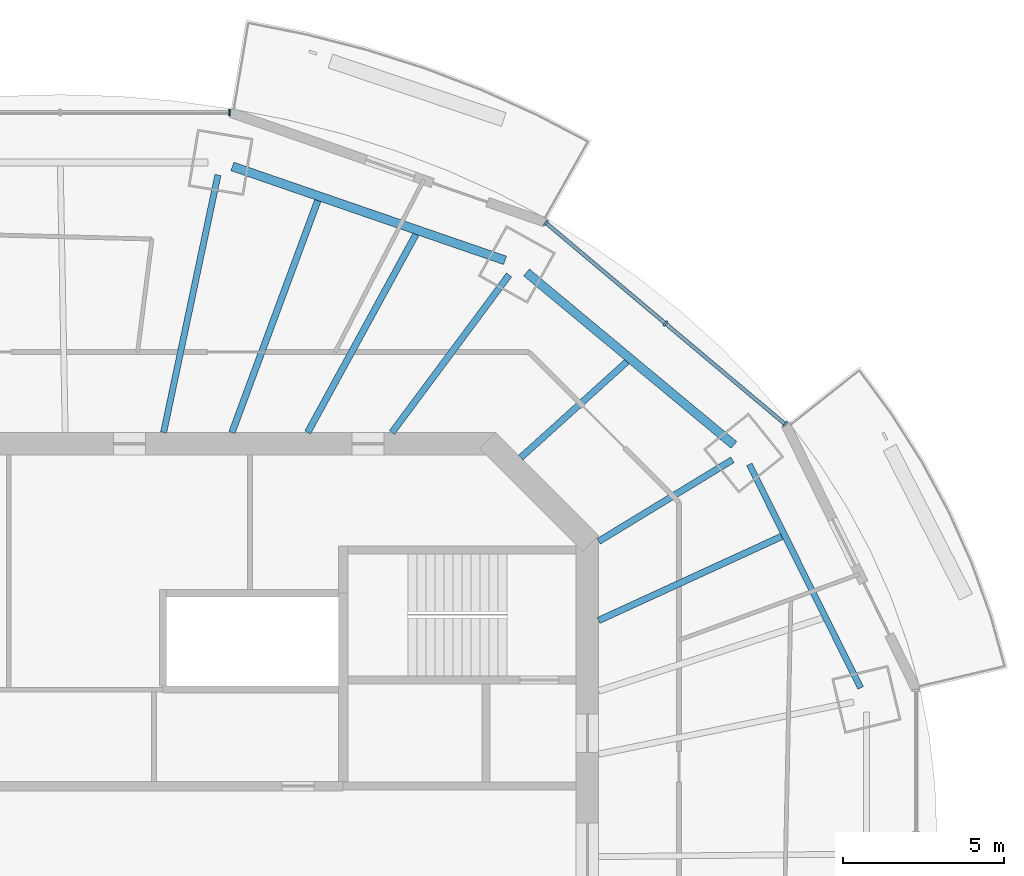
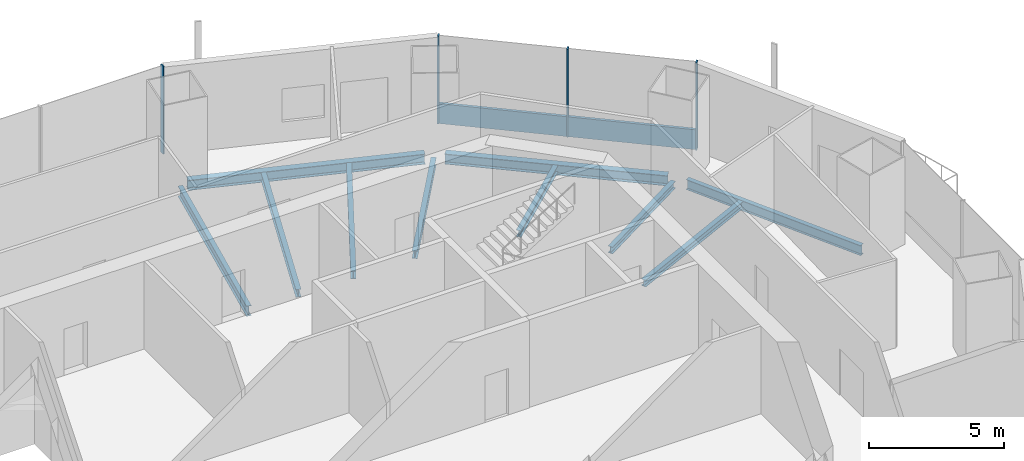
# One storey, part 6 of 16: 10 beams, 5 members, 2 elements without a shape of their own.
"""IFC4 building model written with IfcOpenShell, lengths in metres."""

from ifc_helpers import new_model, si_unit, direction, frame, origin, origin_2d, place, context, subcontext, project, spatial, rectangle, i_section, extrude, material, material_profile, profile_set, type_object, element, aggregate, save


model = new_model("IFC4")

# Units and contexts
model_context = context("Model", 3, precision=1e-05, world=origin(), true_north=direction((0.0, 1.0)))
body_context = subcontext(model_context, "Body", "Model", "MODEL_VIEW")
ifc_project = project(units=[si_unit("LENGTHUNIT", "METRE"), si_unit("AREAUNIT", "SQUARE_METRE"), si_unit("VOLUMEUNIT", "CUBIC_METRE"), si_unit("PLANEANGLEUNIT", "RADIAN"), si_unit("MASSUNIT", "GRAM", prefix="KILO")], contexts=[model_context])

# Site, building, storey
site_placement = place(None, origin())
site = spatial("IfcSite", under=ifc_project, at=site_placement, CompositionType="ELEMENT")
building_placement = place(site_placement, origin())
building = spatial("IfcBuilding", under=site, at=building_placement, Name="Marenthal Gate Tower", CompositionType="ELEMENT")
storey_placement = place(building_placement, frame((0.0, 0.0, 342.60009765625)))
storey = spatial("IfcBuildingStorey", under=building, at=storey_placement, Name="L77", CompositionType="ELEMENT", Elevation=342.60009765625)

# Curtain wall, members
ifc_material_1 = material(Name="Aluminium and glass", Category="aluminium")
curtain_wall_type = type_object("IfcCurtainWallType", Name="Curtain wall typical high", PredefinedType="NOTDEFINED", material=ifc_material_1)
curtain_wall_1_placement = place(storey_placement, origin())
curtain_wall_1 = element("IfcCurtainWall", 1, at=curtain_wall_1_placement, inside=storey, type_object=curtain_wall_type, Name="Curtain wall L77 bay 2", PredefinedType="NOTDEFINED")
ifc_material_2 = material(Name="Aluminium", Category="aluminium")
ifc_material_profile_1 = material_profile(ifc_material_2, rectangle(XDim=0.199951171875, YDim=0.06005859375, at=origin_2d()), Name="60x200 aluminium mullion")
ifc_profile_set_1 = profile_set([ifc_material_profile_1], Name="Aluminium")
member_type_1 = type_object("IfcMemberType", Name="Mullion 60x200 typical high", PredefinedType="MULLION", material=ifc_profile_set_1)
member_1_placement = place(storey_placement, frame((22.150634765625, 13.609619140625, 0.0), z_axis=(0.0, 0.0, 1.0), x_axis=(-0.643800653639, -0.765193255572, 0.0)))
member_1 = element("IfcMember", 2, at=member_1_placement, type_object=member_type_1, Name="Mullion L77 bay 2.1", PredefinedType="MULLION", context=body_context, shape_type="SweptSolid", body=[
    extrude(rectangle(XDim=0.199951171875, YDim=0.06005859375, at=origin_2d()), origin(), (0.0, 0.0, 1.0), 3.969970703125),
])
member_2_placement = place(storey_placement, frame((18.428466796875, 16.7412109375, 0.0), z_axis=(0.0, 0.0, 1.0), x_axis=(-0.643800653639, -0.765193255572, 0.0)))
member_2 = element("IfcMember", 3, at=member_2_placement, type_object=member_type_1, Name="Mullion L77 bay 2.2", PredefinedType="MULLION", context=body_context, shape_type="SweptSolid", body=[
    extrude(rectangle(XDim=0.199951171875, YDim=0.06005859375, at=origin_2d()), origin(), (0.0, 0.0, 1.0), 3.969970703125),
])
member_3_placement = place(storey_placement, frame((14.7060546875, 19.873046875, 0.0), z_axis=(0.0, 0.0, 1.0), x_axis=(-0.643800653639, -0.765193255572, 0.0)))
member_3 = element("IfcMember", 4, at=member_3_placement, type_object=member_type_1, Name="Mullion L77 bay 2.3", PredefinedType="MULLION", context=body_context, shape_type="SweptSolid", body=[
    extrude(rectangle(XDim=0.199951171875, YDim=0.06005859375, at=origin_2d()), origin(), (0.0, 0.0, 1.0), 3.969970703125),
])

# Curtain wall, member
curtain_wall_2_placement = place(storey_placement, origin())
curtain_wall_2 = element("IfcCurtainWall", 5, at=curtain_wall_2_placement, inside=storey, type_object=curtain_wall_type, Name="Curtain wall L77 bay 4", PredefinedType="NOTDEFINED")
member_4_placement = place(storey_placement, frame((4.866455078125, 23.302978515625, 0.0), z_axis=(0.0, 0.0, 1.0), x_axis=(0.0, -1.0, 0.0)))
member_4 = element("IfcMember", 6, at=member_4_placement, type_object=member_type_1, Name="Mullion L77 bay 4.1", PredefinedType="MULLION", context=body_context, shape_type="SweptSolid", body=[
    extrude(rectangle(XDim=0.199951171875, YDim=0.06005859375, at=origin_2d()), origin(), (0.0, 0.0, 1.0), 3.969970703125),
])
aggregate(curtain_wall_2, [member_4])

# Member
ifc_material_3 = material(Name="Aluminium", Category="aluminium")
ifc_material_profile_2 = material_profile(ifc_material_3, rectangle(XDim=0.1201171875, YDim=0.89990234375, at=origin_2d()), Name="120x900 aluminium transom")
ifc_profile_set_2 = profile_set([ifc_material_profile_2], Name="Aluminium")
member_type_2 = type_object("IfcMemberType", Name="Transom 120x900 typical high", PredefinedType="USERDEFINED", material=ifc_profile_set_2)
member_5_placement = place(storey_placement, frame((22.127685546875, 13.62890625, 0.449951171875), z_axis=(-0.765197260539, 0.643795893482, 0.0), x_axis=(-0.643795893482, -0.765197260539, 0.0)))
member_5 = element("IfcMember", 7, at=member_5_placement, type_object=member_type_2, Name="Transom L77 bay 2", ObjectType="TRANSOM", PredefinedType="USERDEFINED", context=body_context, shape_type="SweptSolid", body=[
    extrude(rectangle(XDim=0.1201171875, YDim=0.89990234375, at=origin_2d()), origin(), (0.0, 0.0, 1.0), 9.6689453125),
])

aggregate(curtain_wall_1, [member_1, member_2, member_3, member_5])

# Beams
ifc_material_4 = material(Name="Steel S355", Category="steel")
ifc_material_profile_3 = material_profile(ifc_material_4, i_section(OverallWidth=0.202880859375, OverallDepth=0.302001953125, WebThickness=0.007568359375, FlangeThickness=0.01318359375, FilletRadius=0.0126953125, at=origin_2d()), Name="W310X60")
ifc_profile_set_3 = profile_set([ifc_material_profile_3], Name="Steel S355")
beam_type_1 = type_object("IfcBeamType", Name="W310X60 beam", PredefinedType="BEAM", material=ifc_profile_set_3)
beam_1_placement = place(storey_placement, frame((17.22802734375, 15.55126953125, -0.3310546875), z_axis=(-0.742289268299, -0.670079578982, 0.0), x_axis=(0.670079578982, -0.742289268299, 0.0)))
element("IfcBeam", 8, at=beam_1_placement, inside=storey, type_object=beam_type_1, Name="BM-L77-19", PredefinedType="BEAM", context=body_context, shape_type="SweptSolid", body=[
    extrude(i_section(OverallWidth=0.202880859375, OverallDepth=0.302001953125, WebThickness=0.007568359375, FlangeThickness=0.01318359375, FilletRadius=0.0126953125, at=origin_2d()), origin(), (0.0, 0.0, 1.0), 4.449462890625),
])
ifc_material_5 = material(Name="Steel S355", Category="steel")
ifc_material_profile_4 = material_profile(ifc_material_5, i_section(OverallWidth=0.205078125, OverallDepth=0.31005859375, WebThickness=0.009521484375, FlangeThickness=0.016357421875, FilletRadius=0.0126953125, at=origin_2d()), Name="W310X74")
ifc_profile_set_4 = profile_set([ifc_material_profile_4], Name="Steel S355")
beam_type_2 = type_object("IfcBeamType", Name="W310X74 beam", PredefinedType="BEAM", material=ifc_profile_set_4)
beam_2_placement = place(storey_placement, frame((20.51171875, 12.50048828125, -0.335205078125), z_axis=(-0.853905317144, -0.520428390227, 0.0), x_axis=(0.520428390227, -0.853905317144, 0.0)))
element("IfcBeam", 9, at=beam_2_placement, inside=storey, type_object=beam_type_2, Name="BM-L77-02", PredefinedType="BEAM", context=body_context, shape_type="SweptSolid", body=[
    extrude(i_section(OverallWidth=0.205078125, OverallDepth=0.31005859375, WebThickness=0.009521484375, FlangeThickness=0.016357421875, FilletRadius=0.0126953125, at=origin_2d()), origin(), (0.0, 0.0, 1.0), 4.87353515625),
])
beam_3_placement = place(storey_placement, frame((22.045654296875, 10.117919921875, -0.335205078125), z_axis=(-0.908850126175, -0.417122821422, 0.0), x_axis=(0.417122821422, -0.908850126175, 0.0)))
element("IfcBeam", 10, at=beam_3_placement, inside=storey, type_object=beam_type_2, Name="BM-L77-18", PredefinedType="BEAM", context=body_context, shape_type="SweptSolid", body=[
    extrude(i_section(OverallWidth=0.205078125, OverallDepth=0.31005859375, WebThickness=0.009521484375, FlangeThickness=0.016357421875, FilletRadius=0.0126953125, at=origin_2d()), origin(), (0.0, 0.0, 1.0), 6.266845703125),
])
ifc_material_6 = material(Name="Steel S355", Category="steel")
ifc_material_profile_5 = material_profile(ifc_material_6, i_section(OverallWidth=0.205078125, OverallDepth=0.35302734375, WebThickness=0.009521484375, FlangeThickness=0.016845703125, FilletRadius=0.014892578125, at=origin_2d()), Name="W360X79")
ifc_profile_set_5 = profile_set([ifc_material_profile_5], Name="Steel S355")
beam_type_3 = type_object("IfcBeamType", Name="W360X79 beam", PredefinedType="BEAM", material=ifc_profile_set_5)
beam_4_placement = place(storey_placement, frame((13.56201171875, 18.251220703125, -0.356689453125), z_axis=(-0.596430737358, -0.802664547326, 0.0), x_axis=(0.802664547326, -0.596430737358, 0.0)))
element("IfcBeam", 11, at=beam_4_placement, inside=storey, type_object=beam_type_3, Name="BM-L77-03", PredefinedType="BEAM", context=body_context, shape_type="SweptSolid", body=[
    extrude(i_section(OverallWidth=0.205078125, OverallDepth=0.35302734375, WebThickness=0.009521484375, FlangeThickness=0.016845703125, FilletRadius=0.014892578125, at=origin_2d()), origin(), (0.0, 0.0, 1.0), 6.10595703125),
])
beam_5_placement = place(storey_placement, frame((10.665283203125, 19.5126953125, -0.356689453125), z_axis=(-0.479645925234, -0.877462128189, 0.0), x_axis=(0.877462128189, -0.479645925234, 0.0)))
element("IfcBeam", 12, at=beam_5_placement, inside=storey, type_object=beam_type_3, Name="BM-L77-20", PredefinedType="BEAM", context=body_context, shape_type="SweptSolid", body=[
    extrude(i_section(OverallWidth=0.205078125, OverallDepth=0.35302734375, WebThickness=0.009521484375, FlangeThickness=0.016845703125, FilletRadius=0.014892578125, at=origin_2d()), origin(), (0.0, 0.0, 1.0), 7.023193359375),
])
beam_6_placement = place(storey_placement, frame((7.6123046875, 20.564453125, -0.356689453125), z_axis=(-0.347162407935, -0.937805023721, 0.0), x_axis=(0.937805023721, -0.347162407935, 0.0)))
element("IfcBeam", 13, at=beam_6_placement, inside=storey, type_object=beam_type_3, Name="BM-L77-21", PredefinedType="BEAM", context=body_context, shape_type="SweptSolid", body=[
    extrude(i_section(OverallWidth=0.205078125, OverallDepth=0.35302734375, WebThickness=0.009521484375, FlangeThickness=0.016845703125, FilletRadius=0.014892578125, at=origin_2d()), origin(), (0.0, 0.0, 1.0), 7.69287109375),
])
ifc_material_7 = material(Name="Steel S355", Category="steel")
ifc_material_profile_6 = material_profile(ifc_material_7, i_section(OverallWidth=0.279052734375, OverallDepth=0.4619140625, WebThickness=0.0107421875, FlangeThickness=0.017333984375, FilletRadius=0.010009765625, at=origin_2d()), Name="W460X113")
ifc_profile_set_6 = profile_set([ifc_material_profile_6], Name="Steel S355")
beam_type_4 = type_object("IfcBeamType", Name="W460X113 beam", PredefinedType="BEAM", material=ifc_profile_set_6)
beam_7_placement = place(storey_placement, frame((20.5576171875, 12.963623046875, -0.4111328125), z_axis=(-0.768871924269, 0.639402818317, 0.0), x_axis=(-0.639402818317, -0.768871924269, 0.0)))
element("IfcBeam", 14, at=beam_7_placement, inside=storey, type_object=beam_type_4, Name="BM-L77-42", PredefinedType="BEAM", context=body_context, shape_type="SweptSolid", body=[
    extrude(i_section(OverallWidth=0.279052734375, OverallDepth=0.4619140625, WebThickness=0.0107421875, FlangeThickness=0.017333984375, FilletRadius=0.010009765625, at=origin_2d()), origin(), (0.0, 0.0, 1.0), 8.391357421875),
])
beam_8_placement = place(storey_placement, frame((13.43798828125, 18.705322265625, -0.4111328125), z_axis=(-0.945490896915, 0.325648528096, 0.0), x_axis=(-0.325648528096, -0.945490896915, 0.0)))
element("IfcBeam", 15, at=beam_8_placement, inside=storey, type_object=beam_type_4, Name="BM-L77-43", PredefinedType="BEAM", context=body_context, shape_type="SweptSolid", body=[
    extrude(i_section(OverallWidth=0.279052734375, OverallDepth=0.4619140625, WebThickness=0.0107421875, FlangeThickness=0.017333984375, FilletRadius=0.010009765625, at=origin_2d()), origin(), (0.0, 0.0, 1.0), 8.972412109375),
])
ifc_material_8 = material(Name="Steel S355", Category="steel")
ifc_material_profile_7 = material_profile(ifc_material_8, i_section(OverallWidth=0.19091796875, OverallDepth=0.45703125, WebThickness=0.009033203125, FlangeThickness=0.014404296875, FilletRadius=0.01025390625, at=origin_2d()), Name="W460X74")
ifc_profile_set_7 = profile_set([ifc_material_profile_7], Name="Steel S355")
beam_type_5 = type_object("IfcBeamType", Name="W460X74 beam", PredefinedType="BEAM", material=ifc_profile_set_7)
beam_9_placement = place(storey_placement, frame((24.500244140625, 5.404296875, -0.40869140625), z_axis=(-0.445880705054, 0.895092395712, 0.0), x_axis=(-0.895092395712, -0.445880705054, 0.0)))
element("IfcBeam", 16, at=beam_9_placement, inside=storey, type_object=beam_type_5, Name="BM-L77-41", PredefinedType="BEAM", context=body_context, shape_type="SweptSolid", body=[
    extrude(i_section(OverallWidth=0.19091796875, OverallDepth=0.45703125, WebThickness=0.009033203125, FlangeThickness=0.014404296875, FilletRadius=0.01025390625, at=origin_2d()), origin(), (0.0, 0.0, 1.0), 7.76904296875),
])
ifc_material_9 = material(Name="Steel S355", Category="steel")
ifc_material_profile_8 = material_profile(ifc_material_9, i_section(OverallWidth=0.193115234375, OverallDepth=0.467041015625, WebThickness=0.011474609375, FlangeThickness=0.01904296875, FilletRadius=0.010009765625, at=origin_2d()), Name="W460X97")
ifc_profile_set_8 = profile_set([ifc_material_profile_8], Name="Steel S355")
beam_type_6 = type_object("IfcBeamType", Name="W460X97 beam", PredefinedType="BEAM", material=ifc_profile_set_8)
beam_10_placement = place(storey_placement, frame((4.505615234375, 21.361083984375, -0.41357421875), z_axis=(-0.206381669226, -0.978471566581, 0.0), x_axis=(0.978471566581, -0.206381669226, 0.0)))
element("IfcBeam", 17, at=beam_10_placement, inside=storey, type_object=beam_type_6, Name="BM-L77-04", PredefinedType="BEAM", context=body_context, shape_type="SweptSolid", body=[
    extrude(i_section(OverallWidth=0.193115234375, OverallDepth=0.467041015625, WebThickness=0.011474609375, FlangeThickness=0.01904296875, FilletRadius=0.010009765625, at=origin_2d()), origin(), (0.0, 0.0, 1.0), 8.187255859375),
])

save(model, "model.ifc")
